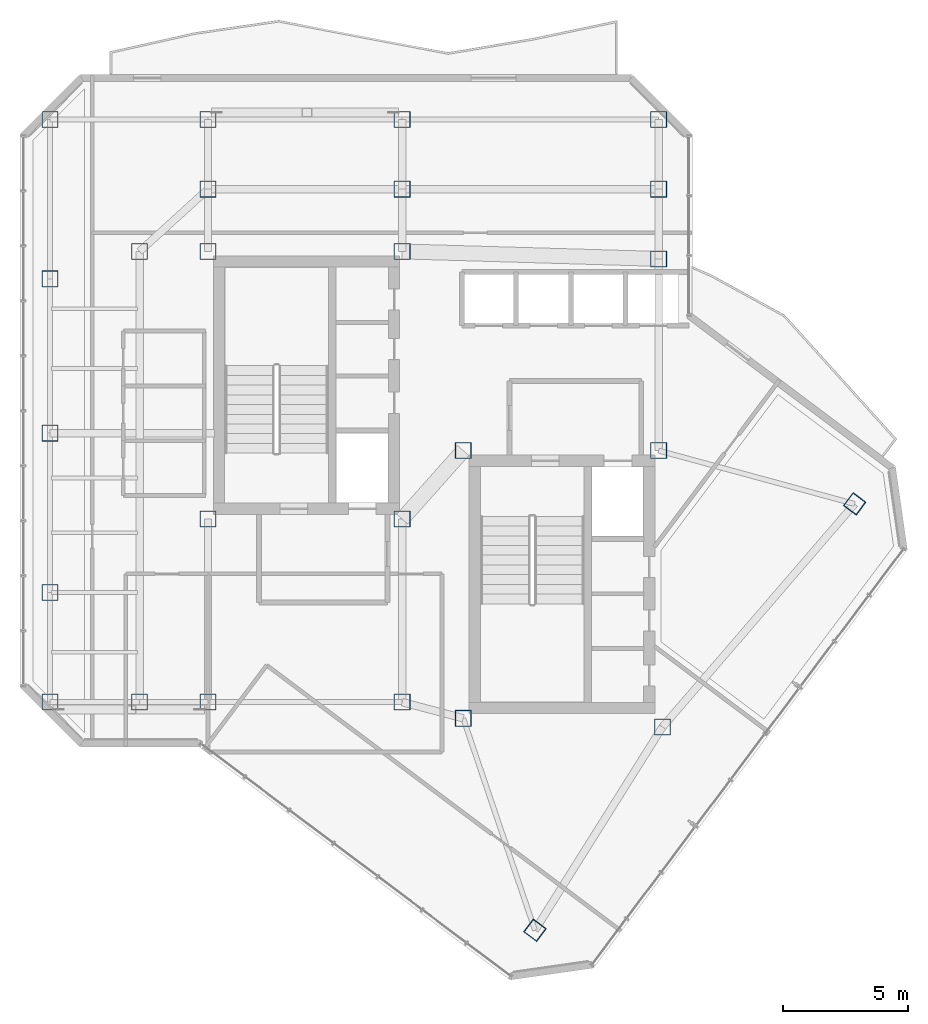
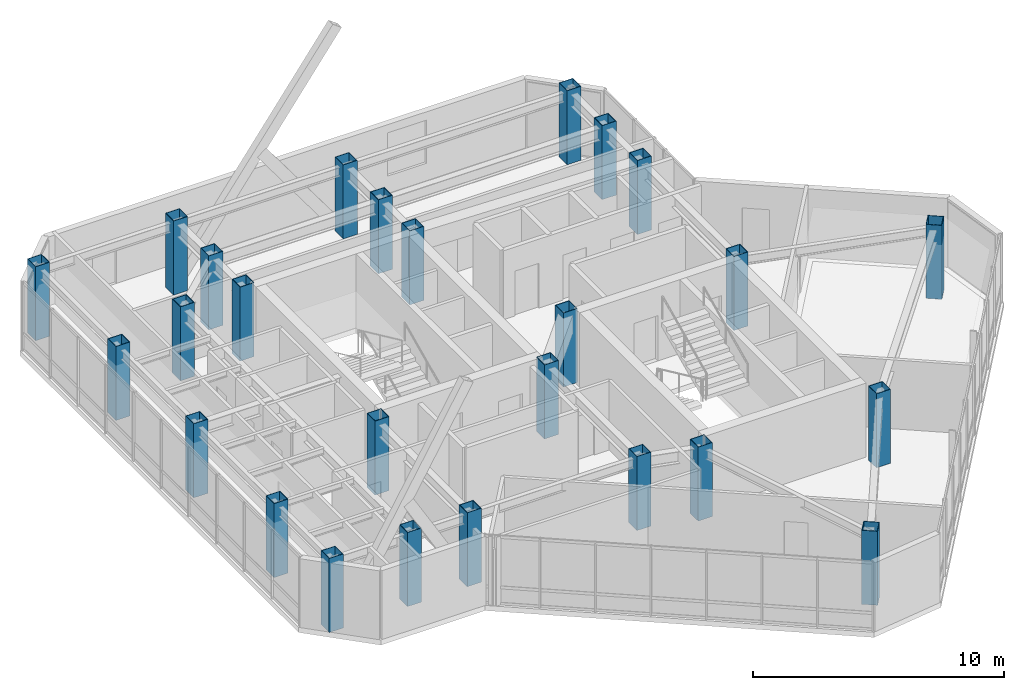
# One storey, part 1 of 22: 26 columns.
"""IFC4 building model written with IfcOpenShell, lengths in metres."""

import ifcopenshell
import ifcopenshell.guid

model = None  # the IFC model being written
_history = None  # IfcOwnerHistory: only IFC2X3 demands one
_inside = {}  # id of a spatial element -> (the spatial element, [elements in it])
_under = {}  # id of a project, library or spatial element -> (it, [spatial elements below it])
_declared = {}  # id of a project -> (the project, [libraries it declares])
_typed = {}  # id of a type object -> (the type object, [elements of that type])
_made_of = {}  # id of a material, layer set ... -> (it, [elements and type objects made of it])


def new_model(schema):
    """Start an empty IFC model of exactly this schema.

    Asked for "IFC4X3", IfcOpenShell would pick the latest addendum, in which some entities
    have other attributes; the version numbers below select the first issue.
    IFC2X3 requires an IfcOwnerHistory on every rooted entity: one is made here for all.
    """
    global model, _history
    if schema == "IFC4X3":
        model = ifcopenshell.file(schema_version=(4, 3, 0, 0))
    else:
        model = ifcopenshell.file(schema=schema)
    _inside.clear()
    _under.clear()
    _declared.clear()
    _typed.clear()
    _made_of.clear()
    _history = None
    if model.schema == "IFC2X3":
        org = make("IfcOrganization", Name="unknown")
        user = make(
            "IfcPersonAndOrganization",
            ThePerson=make("IfcPerson", FamilyName="unknown"),
            TheOrganization=org,
        )
        app = make(
            "IfcApplication",
            ApplicationDeveloper=org,
            Version="unknown",
            ApplicationFullName="unknown",
            ApplicationIdentifier="unknown",
        )
        _history = make(
            "IfcOwnerHistory",
            OwningUser=user,
            OwningApplication=app,
            ChangeAction="ADDED",
            CreationDate=0,
        )
    return model


def make(cls, **values):
    """One entity of the class cls with the attributes given. An attribute that is None is left unset."""
    return model.create_entity(
        cls, **{name: value for name, value in values.items() if value is not None}
    )


def rooted(cls, **values):
    """An entity with a GlobalId (a new one), such as an element, a storey or a relation."""
    return make(cls, GlobalId=ifcopenshell.guid.new(), OwnerHistory=_history, **values)


def si_unit(unit_type, name, prefix=None):
    """IfcSIUnit, for example si_unit("LENGTHUNIT", "METRE", prefix="MILLI")."""
    return make("IfcSIUnit", UnitType=unit_type, Prefix=prefix, Name=name)


def assignment(units):
    """IfcUnitAssignment: the units of a project."""
    return None if units is None else make("IfcUnitAssignment", Units=units)


def point(xyz):
    """IfcCartesianPoint."""
    return None if xyz is None else make("IfcCartesianPoint", Coordinates=xyz)


def direction(xyz):
    """IfcDirection."""
    return None if xyz is None else make("IfcDirection", DirectionRatios=xyz)


def frame(location, z_axis=None, x_axis=None):
    """IfcAxis2Placement3D, a coordinate frame: its origin and axes. An axis left out is left unset."""
    return make(
        "IfcAxis2Placement3D",
        Location=point(location),
        Axis=direction(z_axis),
        RefDirection=direction(x_axis),
    )


def frame_2d(location, x_axis=None):
    """IfcAxis2Placement2D, a coordinate frame in the plane: its origin and x axis."""
    return make(
        "IfcAxis2Placement2D", Location=point(location), RefDirection=direction(x_axis)
    )


def origin():
    """The frame at (0, 0, 0) with its axes left unset."""
    return frame((0.0, 0.0, 0.0))


def origin_2d():
    """The frame at (0, 0) in the plane with its x axis left unset."""
    return frame_2d((0.0, 0.0))


def place(relative_to, where):
    """IfcLocalPlacement: puts the frame where relative to a parent placement (None: the world)."""
    return make(
        "IfcLocalPlacement", PlacementRelTo=relative_to, RelativePlacement=where
    )


def context(
    kind, dimensions, precision=None, world=None, true_north=None, identifier=None
):
    """IfcGeometricRepresentationContext, for example the 3D "Model" context."""
    return make(
        "IfcGeometricRepresentationContext",
        ContextIdentifier=identifier,
        ContextType=kind,
        CoordinateSpaceDimension=dimensions,
        Precision=precision,
        WorldCoordinateSystem=world,
        TrueNorth=true_north,
    )


def subcontext(parent, identifier, kind, view, scale=None):
    """IfcGeometricRepresentationSubContext, for example "Body" below "Model"."""
    return make(
        "IfcGeometricRepresentationSubContext",
        ContextIdentifier=identifier,
        ContextType=kind,
        ParentContext=parent,
        TargetScale=scale,
        TargetView=view,
    )


def project(units=None, contexts=None):
    """IfcProject with its units and contexts."""
    return rooted(
        "IfcProject",
        Name="project",
        RepresentationContexts=contexts,
        UnitsInContext=assignment(units),
    )


def spatial(cls, under=None, at=None, **own):
    """A site, building, storey or space (cls), placed at a placement, below another one or the project."""
    s = rooted(cls, ObjectPlacement=at, **own)
    if under is not None:
        _under.setdefault(under.id(), (under, []))[1].append(s)
    return s


def profile(cls, at=None, kind="AREA", **sizes):
    """A parametric profile (cls). Its sizes go by their IFC names, for example OverallWidth=200.0."""
    return make(cls, ProfileType=kind, Position=at, **sizes)


def hollow_rectangle(**sizes):
    """IfcRectangleHollowProfileDef."""
    return profile("IfcRectangleHollowProfileDef", **sizes)


def extrude(swept, where, along, depth):
    """IfcExtrudedAreaSolid: the profile swept, set in the frame where, extruded along a direction by depth."""
    return make(
        "IfcExtrudedAreaSolid",
        SweptArea=swept,
        Position=where,
        ExtrudedDirection=direction(along),
        Depth=depth,
    )


def shape(context_of_items, identifier, shape_type, items):
    """IfcShapeRepresentation: the items that make up one representation, for example the "Body"."""
    return make(
        "IfcShapeRepresentation",
        ContextOfItems=context_of_items,
        RepresentationIdentifier=identifier,
        RepresentationType=shape_type,
        Items=items,
    )


def material(Name=None, Category=None):
    """IfcMaterial."""
    return make("IfcMaterial", Name=Name, Category=Category)


def material_profile(
    of_material, cross_section, Name=None, Category=None, Priority=None
):
    """IfcMaterialProfile: a cross section and its material."""
    return make(
        "IfcMaterialProfile",
        Name=Name,
        Material=of_material,
        Profile=cross_section,
        Priority=Priority,
        Category=Category,
    )


def profile_set(profiles, Name=None, composite=None):
    """IfcMaterialProfileSet."""
    return make(
        "IfcMaterialProfileSet",
        Name=Name,
        MaterialProfiles=profiles,
        CompositeProfile=composite,
    )


def made_of(thing, what):
    """Note that an element or type object is made of a material, layer set ...; save() writes the relation."""
    if what is not None:
        _made_of.setdefault(what.id(), (what, []))[1].append(thing)
    return thing


def type_object(cls, material=None, **own):
    """A type object (cls), such as IfcWallType, which elements share."""
    return made_of(rooted(cls, **own), material)


def element(
    cls,
    number,
    at=None,
    inside=None,
    cuts=None,
    type_object=None,
    material=None,
    context=None,
    identifier="Body",
    shape_type=None,
    held_by="IfcProductDefinitionShape",
    body=None,
    shapes=None,
    **own,
):
    """One element of the class cls, such as IfcWall. Its Tag is "e" and its number.

    at: its placement. inside: the storey or other place that contains it. cuts: it is an
    opening in that element (IfcRelVoidsElement). A single representation is given by context,
    identifier, shape_type and body (its items); several are given by shapes. held_by: the class
    of the entity that holds the representations. save() writes the other relations.
    """
    e = rooted(cls, Tag="e%d" % number, ObjectPlacement=at, **own)
    if body is not None:
        shapes = [shape(context, identifier, shape_type, body)]
    if shapes is not None:
        e.Representation = make(held_by, Representations=shapes)
    if inside is not None:
        _inside.setdefault(inside.id(), (inside, []))[1].append(e)
    if cuts is not None:
        rooted(
            "IfcRelVoidsElement", RelatingBuildingElement=cuts, RelatedOpeningElement=e
        )
    if type_object is not None:
        _typed.setdefault(type_object.id(), (type_object, []))[1].append(e)
    return made_of(e, material)


def aggregate(whole, parts):
    """IfcRelAggregates: a whole, such as a stair, and the parts it consists of."""
    return rooted("IfcRelAggregates", RelatingObject=whole, RelatedObjects=parts)


def save(model, path):
    """Write the relations noted so far, then the file.

    IfcRelAggregates (storeys below a building ...), IfcRelContainedInSpatialStructure (elements
    in a storey), IfcRelDefinesByType, IfcRelAssociatesMaterial and IfcRelDeclares: one each for
    every whole, place, type object, material and project.
    """
    for whole, parts in _under.values():
        aggregate(whole, parts)
    for where, things in _inside.values():
        rooted(
            "IfcRelContainedInSpatialStructure",
            RelatedElements=things,
            RelatingStructure=where,
        )
    for kind, things in _typed.values():
        rooted("IfcRelDefinesByType", RelatedObjects=things, RelatingType=kind)
    for what, things in _made_of.values():
        rooted("IfcRelAssociatesMaterial", RelatedObjects=things, RelatingMaterial=what)
    for by, libraries in _declared.values():
        rooted("IfcRelDeclares", RelatingContext=by, RelatedDefinitions=libraries)
    model.write(path)


model = new_model("IFC4")

# Units and contexts
model_context = context("Model", 3, precision=1e-05, world=origin(), true_north=direction((0.0, 1.0)))
body_context = subcontext(model_context, "Body", "Model", "MODEL_VIEW")
ifc_project = project(units=[si_unit("LENGTHUNIT", "METRE"), si_unit("AREAUNIT", "SQUARE_METRE"), si_unit("VOLUMEUNIT", "CUBIC_METRE"), si_unit("PLANEANGLEUNIT", "RADIAN"), si_unit("MASSUNIT", "GRAM", prefix="KILO")], contexts=[model_context])

# Site, building, storey
site_placement = place(None, origin())
site = spatial("IfcSite", under=ifc_project, at=site_placement, CompositionType="ELEMENT")
building_placement = place(site_placement, origin())
building = spatial("IfcBuilding", under=site, at=building_placement, Name="Hatsunagi Terrace Concourse", CompositionType="ELEMENT")
storey_placement = place(building_placement, frame((0.0, 0.0, 239.550048828125)))
storey = spatial("IfcBuildingStorey", under=building, at=storey_placement, Name="L63", CompositionType="ELEMENT", Elevation=239.550048828125)

# Columns
ifc_material = material(Name="Steel BCP325T", Category="steel")
ifc_material_profile = material_profile(ifc_material, hollow_rectangle(XDim=0.64990234375, YDim=0.64990234375, WallThickness=0.02490234375, at=origin_2d()), Name="BCP-650x650x25")
ifc_profile_set = profile_set([ifc_material_profile], Name="Steel BCP325T")
column_type = type_object("IfcColumnType", Name="TowerBoxColumn_650x650x25", PredefinedType="COLUMN", material=ifc_profile_set)
for number, where, z_axis, x_axis, name in (
    (1, (25.550048828125, 32.550048828125, 0.0), (0.0, 0.0, 1.0), (1.0, 0.0, 0.0), "Column C-09 L63-CASW"),
    (2, (33.35009765625, 32.550048828125, 0.0), (0.0, 0.0, 1.0), (1.0, 0.0, 0.0), "Column C-09 L63-CASE"),
    (3, (25.550048828125, 43.300048828125, 0.0), (0.0, 0.0, 1.0), (1.0, 0.0, 0.0), "Column C-09 L63-CANW"),
    (4, (33.35009765625, 43.300048828125, 0.0), (0.0, 0.0, 1.0), (1.0, 0.0, 0.0), "Column C-09 L63-CANE"),
    (5, (35.800048828125, 24.550048828125, 0.0), (0.0, 0.0, 1.0), (1.0, 0.0, 0.0), "Column C-09 L63-CBSW"),
    (6, (43.800048828125, 24.199951171875, 0.0), (0.0, 0.0, 1.0), (1.0, 0.0, 0.0), "Column C-09 L63-CBSE"),
    (7, (35.800048828125, 35.300048828125, 0.0), (0.0, 0.0, 1.0), (1.0, 0.0, 0.0), "Column C-09 L63-CBNW"),
    (8, (43.64990234375, 35.300048828125, 0.0), (0.0, 0.0, 1.0), (1.0, 0.0, 0.0), "Column C-09 L63-CBNE"),
    (9, (25.550048828125, 25.199951171875, 0.0), (0.0, 0.0, 1.0), (1.0, 0.0, 0.0), "Column C-09 L63-K1"),
    (10, (33.35009765625, 25.199951171875, 0.0), (0.0, 0.0, 1.0), (1.0, 0.0, 0.0), "Column C-09 L63-K2"),
    (11, (43.64990234375, 43.0, 0.0), (0.0, 0.0, 1.0), (1.0, 0.0, 0.0), "Column C-09 L63-K3"),
    (12, (25.550048828125, 45.800048828125, 0.0), (0.0, 0.0, 1.0), (1.0, 0.0, 0.0), "Column C-09 L63-CN1"),
    (13, (33.35009765625, 45.800048828125, 0.0), (0.0, 0.0, 1.0), (1.0, 0.0, 0.0), "Column C-09 L63-CN2"),
    (14, (43.64990234375, 45.800048828125, 0.0), (0.0, 0.0, 1.0), (1.0, 0.0, 0.0), "Column C-09 L63-CN3"),
    (15, (19.199951171875, 48.60009765625, 0.0), (0.0, 0.0, 1.0), (1.0, 0.0, 0.0), "Column C-09 L63-WN3"),
    (16, (25.550048828125, 48.60009765625, 0.0), (0.0, 0.0, 1.0), (1.0, 0.0, 0.0), "Column C-09 L63-WN4"),
    (17, (33.35009765625, 48.60009765625, 0.0), (0.0, 0.0, 1.0), (1.0, 0.0, 0.0), "Column C-09 L63-WN5"),
    (18, (43.64990234375, 48.60009765625, 0.0), (0.0, 0.0, 1.0), (1.0, 0.0, 0.0), "Column C-09 L63-WN6"),
    (19, (19.199951171875, 25.199951171875, 0.0), (0.0, 0.0, 1.0), (1.0, 0.0, 0.0), "Column C-09 L63-WS3"),
    (20, (19.199951171875, 29.60009765625, 0.0), (0.0, 0.0, 1.0), (1.0, 0.0, 0.0), "Column C-09 L63-WR1"),
    (21, (19.199951171875, 42.199951171875, 0.0), (0.0, 0.0, 1.0), (1.0, 0.0, 0.0), "Column C-09 L63-WR2"),
    (22, (22.800048828125, 25.199951171875, 0.0), (0.0, 0.0, 1.0), (1.0, 0.0, 0.0), "Column C-09 L63-CW1"),
    (23, (22.800048828125, 43.300048828125, 0.0), (0.0, 0.0, 1.0), (1.0, 0.0, 0.0), "Column C-09 L63-CW2"),
    (24, (19.199951171875, 36.0, 0.0), (0.0, 0.0, 1.0), (1.0, 0.0, 0.0), "Column C-09 L63-WT2"),
    (25, (38.679931640625, 16.0400390625, 0.0), (0.0, 0.0, 1.0), (0.799999996291, -0.600000004945, 0.0), "Column C-09 L63-SES1"),
    (26, (51.52001953125, 33.159912109375, 0.0), (0.0, 0.0, 1.0), (0.799999996291, -0.600000004945, 0.0), "Column C-09 L63-SEN1"),
):
    element("IfcColumn", number, at=place(storey_placement, frame(where, z_axis=z_axis, x_axis=x_axis)), inside=storey, type_object=column_type, Name=name, PredefinedType="COLUMN", context=body_context, shape_type="SweptSolid", body=[
        extrude(hollow_rectangle(XDim=0.64990234375, YDim=0.64990234375, WallThickness=0.02490234375, at=origin_2d()), origin(), (0.0, 0.0, 1.0), 3.599853515625),
    ])

save(model, "model.ifc")
